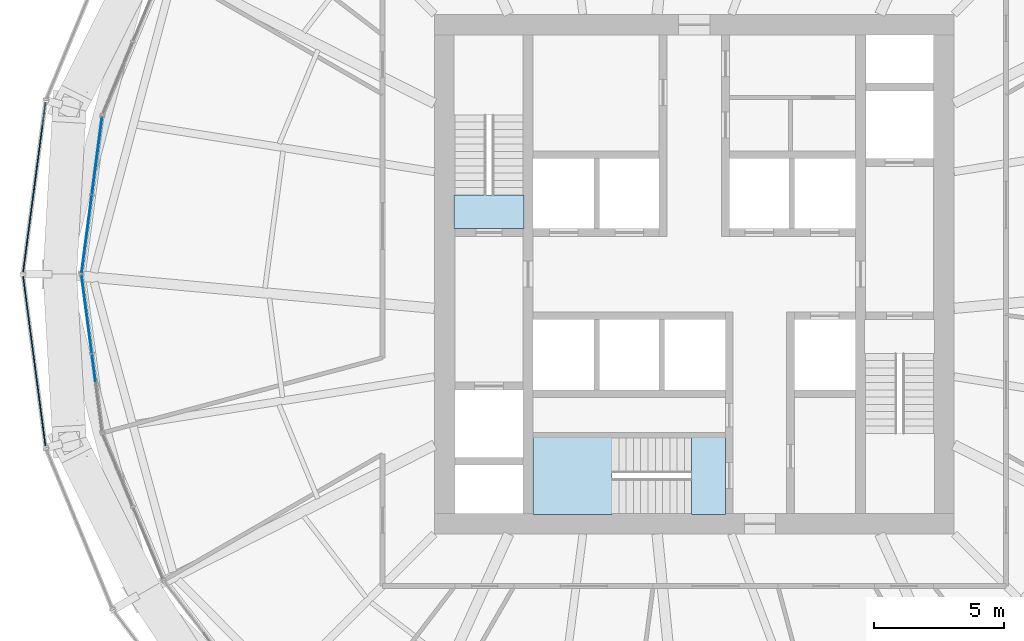
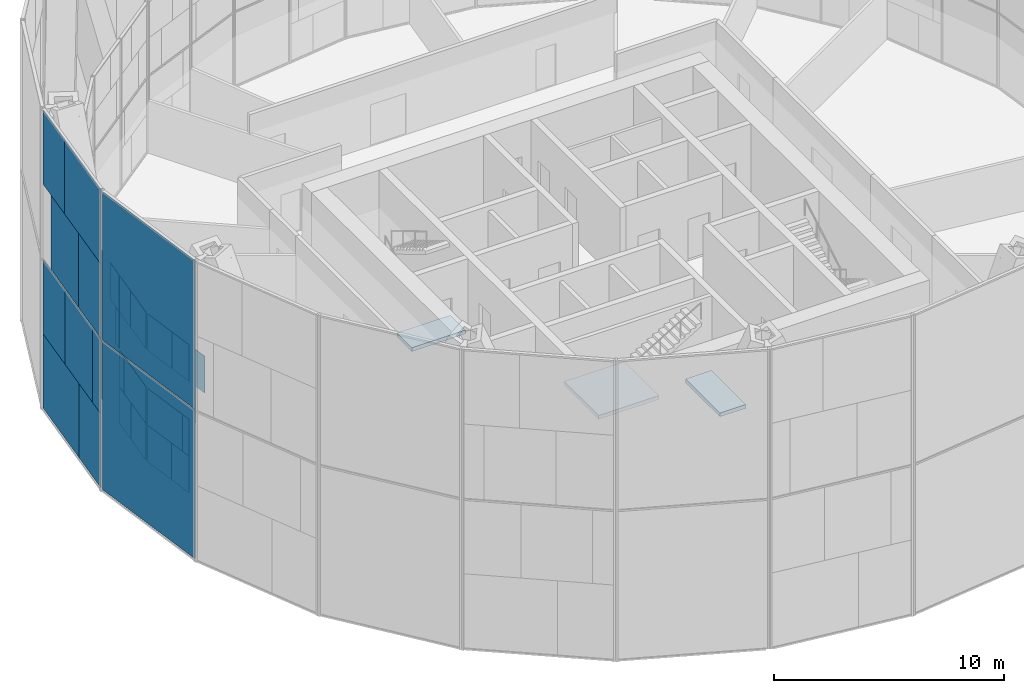
# One storey, part 12 of 22: 34 plates, 3 slabs, 5 elements without a shape of their own.
"""IFC4 building model written with IfcOpenShell, lengths in metres."""

from ifc_helpers import new_model, si_unit, direction, frame, origin, origin_2d, place, context, subcontext, project, spatial, polyline, rectangle, outline, extrude, material, layer, layer_set, type_object, element, aggregate, save


model = new_model("IFC4")

# Units and contexts
model_context = context("Model", 3, precision=1e-05, world=origin(), true_north=direction((0.0, 1.0)))
body_context = subcontext(model_context, "Body", "Model", "MODEL_VIEW")
ifc_project = project(units=[si_unit("LENGTHUNIT", "METRE"), si_unit("AREAUNIT", "SQUARE_METRE"), si_unit("VOLUMEUNIT", "CUBIC_METRE"), si_unit("PLANEANGLEUNIT", "RADIAN"), si_unit("MASSUNIT", "GRAM", prefix="KILO")], contexts=[model_context])

# Site, building, storey
site_placement = place(None, origin())
site = spatial("IfcSite", under=ifc_project, at=site_placement, CompositionType="ELEMENT")
building_placement = place(site_placement, origin())
building = spatial("IfcBuilding", under=site, at=building_placement, Name="Golbaran Civic Tower", CompositionType="ELEMENT")
storey_placement = place(building_placement, frame((0.0, 0.0, 53.0)))
storey = spatial("IfcBuildingStorey", under=building, at=storey_placement, Name="L12", CompositionType="ELEMENT", Elevation=53.0)

# Curtain wall, plates
ifc_material_1 = material(Name="Aluminium and glass", Category="aluminium")
curtain_wall_type_1 = type_object("IfcCurtainWallType", Name="INNER SKIN CURTAIN WALL", PredefinedType="NOTDEFINED", material=ifc_material_1)
curtain_wall_1_placement = place(storey_placement, origin())
curtain_wall_1 = element("IfcCurtainWall", 1, at=curtain_wall_1_placement, inside=storey, type_object=curtain_wall_type_1, Name="Inner skin L12 facet 12 CW1", ObjectType="INNER SKIN", PredefinedType="USERDEFINED")
ifc_material_2 = material(Name="Clear insulating glass", Category="glass")
ifc_layer_1 = layer(ifc_material_2, 0.031982421875, Name="Clear insulating glass")
ifc_layer_set_1 = layer_set([ifc_layer_1], Name="Clear insulating glass")
plate_type_1 = type_object("IfcPlateType", Name="INNER SKIN CURTAIN WALL GLAZED PANEL", PredefinedType="CURTAIN_PANEL", material=ifc_layer_set_1)
plate_1_placement = place(storey_placement, frame((-22.984375, 4.56201171875, 0.06494140625), z_axis=(0.0, 0.0, 1.0), x_axis=(-0.13052619222, -0.991444861374, 0.0)))
plate_1 = element("IfcPlate", 2, at=plate_1_placement, type_object=plate_type_1, Name="CW1 panel 1.1", PredefinedType="CURTAIN_PANEL", context=body_context, shape_type="SweptSolid", body=[
    extrude(rectangle(XDim=2.98095703125, YDim=0.031982421875, at=origin_2d()), origin(), (0.0, 0.0, 1.0), 3.902587890625),
])
plate_2_placement = place(storey_placement, frame((-22.958251953125, 4.76123046875, 4.032470703125), z_axis=(0.0, 0.0, 1.0), x_axis=(-0.13052619222, -0.991444861374, 0.0)))
plate_2 = element("IfcPlate", 3, at=plate_2_placement, type_object=plate_type_1, Name="CW1 panel 1.2 part 1", PredefinedType="CURTAIN_PANEL", context=body_context, shape_type="SweptSolid", body=[
    extrude(rectangle(XDim=2.5791015625, YDim=0.031982421875, at=origin_2d()), origin(), (0.0, 0.0, 1.0), 1.951171875),
])
plate_3_placement = place(storey_placement, frame((-22.916259765625, 5.080078125, 5.98388671875), z_axis=(0.0, 0.0, 1.0), x_axis=(-0.13052619222, -0.991444861374, 0.0)))
plate_3 = element("IfcPlate", 4, at=plate_3_placement, type_object=plate_type_1, Name="CW1 panel 1.2 part 3", PredefinedType="CURTAIN_PANEL", context=body_context, shape_type="SweptSolid", body=[
    extrude(rectangle(XDim=1.93603515625, YDim=0.031982421875, at=origin_2d()), origin(), (0.0, 0.0, 1.0), 1.951171875),
])
plate_4_placement = place(storey_placement, frame((-23.270263671875, 2.389892578125, 0.06494140625), z_axis=(0.0, 0.0, 1.0), x_axis=(-0.13052619222, -0.991444861374, 0.0)))
plate_4 = element("IfcPlate", 5, at=plate_4_placement, type_object=plate_type_1, Name="CW1 panel 2.1 part 1", PredefinedType="CURTAIN_PANEL", context=body_context, shape_type="SweptSolid", body=[
    extrude(rectangle(XDim=1.27099609375, YDim=0.031982421875, at=origin_2d()), origin(), (0.0, 0.0, 1.0), 1.951171875),
])
plate_5_placement = place(storey_placement, frame((-23.21923828125, 2.779052734375, 2.016357421875), z_axis=(0.0, 0.0, 1.0), x_axis=(-0.13052619222, -0.991444861374, 0.0)))
plate_5 = element("IfcPlate", 6, at=plate_5_placement, type_object=plate_type_1, Name="CW1 panel 2.1 part 3", PredefinedType="CURTAIN_PANEL", context=body_context, shape_type="SweptSolid", body=[
    extrude(rectangle(XDim=0.486083984375, YDim=0.031982421875, at=origin_2d()), origin(), (0.0, 0.0, 1.0), 1.951171875),
])
plate_6_placement = place(storey_placement, frame((-23.514404296875, 0.536376953125, 4.032470703125), z_axis=(0.0, 0.0, 1.0), x_axis=(-0.13052619222, -0.991444861374, 0.0)))
plate_6 = element("IfcPlate", 7, at=plate_6_placement, type_object=plate_type_1, Name="CW1 panel 2.2 part 2", PredefinedType="CURTAIN_PANEL", context=body_context, shape_type="SweptSolid", body=[
    extrude(rectangle(XDim=0.951904296875, YDim=0.031982421875, at=origin_2d()), origin(), (0.0, 0.0, 1.0), 1.951171875),
])
plate_7_placement = place(storey_placement, frame((-23.462890625, 0.927490234375, 5.98388671875), z_axis=(0.0, 0.0, 1.0), x_axis=(-0.13052619222, -0.991444861374, 0.0)))
plate_7 = element("IfcPlate", 8, at=plate_7_placement, type_object=plate_type_1, Name="CW1 panel 2.2 part 4", PredefinedType="CURTAIN_PANEL", context=body_context, shape_type="SweptSolid", body=[
    extrude(rectangle(XDim=1.740966796875, YDim=0.031982421875, at=origin_2d()), origin(), (0.0, 0.0, 1.0), 1.951171875),
])

curtain_wall_2_placement = place(storey_placement, origin())
curtain_wall_2 = element("IfcCurtainWall", 9, at=curtain_wall_2_placement, inside=storey, type_object=curtain_wall_type_1, Name="Inner skin L12 facet 13 CW1", ObjectType="INNER SKIN", PredefinedType="USERDEFINED")
plate_8_placement = place(storey_placement, frame((-23.270263671875, -2.389892578125, 0.06494140625), z_axis=(0.0, 0.0, 1.0), x_axis=(0.13052619222, -0.991444861374, 0.0)))
plate_8 = element("IfcPlate", 10, at=plate_8_placement, type_object=plate_type_1, Name="CW1 panel 1.1 part 2", PredefinedType="CURTAIN_PANEL", context=body_context, shape_type="SweptSolid", body=[
    extrude(rectangle(XDim=1.27099609375, YDim=0.031982421875, at=origin_2d()), origin(), (0.0, 0.0, 1.0), 1.951171875),
])
plate_9_placement = place(storey_placement, frame((-23.21923828125, -2.779052734375, 2.016357421875), z_axis=(0.0, 0.0, 1.0), x_axis=(0.13052619222, -0.991444861374, 0.0)))
plate_9 = element("IfcPlate", 11, at=plate_9_placement, type_object=plate_type_1, Name="CW1 panel 1.1 part 4", PredefinedType="CURTAIN_PANEL", context=body_context, shape_type="SweptSolid", body=[
    extrude(rectangle(XDim=0.48583984375, YDim=0.031982421875, at=origin_2d()), origin(), (0.0, 0.0, 1.0), 1.951171875),
])
plate_10_placement = place(storey_placement, frame((-23.514404296875, -0.536376953125, 4.032470703125), z_axis=(0.0, 0.0, 1.0), x_axis=(0.13052619222, -0.991444861374, 0.0)))
plate_10 = element("IfcPlate", 12, at=plate_10_placement, type_object=plate_type_1, Name="CW1 panel 1.2 part 1", PredefinedType="CURTAIN_PANEL", context=body_context, shape_type="SweptSolid", body=[
    extrude(rectangle(XDim=0.951904296875, YDim=0.031982421875, at=origin_2d()), origin(), (0.0, 0.0, 1.0), 1.951171875),
])
plate_11_placement = place(storey_placement, frame((-23.462890625, -0.927490234375, 5.98388671875), z_axis=(0.0, 0.0, 1.0), x_axis=(0.13052619222, -0.991444861374, 0.0)))
plate_11 = element("IfcPlate", 13, at=plate_11_placement, type_object=plate_type_1, Name="CW1 panel 1.2 part 3", PredefinedType="CURTAIN_PANEL", context=body_context, shape_type="SweptSolid", body=[
    extrude(rectangle(XDim=1.740966796875, YDim=0.031982421875, at=origin_2d()), origin(), (0.0, 0.0, 1.0), 1.951171875),
])

# Plate
ifc_material_3 = material(Name="Aluminium faced opaque infill panel", Category="aluminium")
ifc_layer_2 = layer(ifc_material_3, 0.031982421875, Name="Aluminium faced opaque infill panel")
ifc_layer_set_2 = layer_set([ifc_layer_2], Name="Aluminium faced opaque infill panel")
plate_type_2 = type_object("IfcPlateType", Name="INNER SKIN CURTAIN WALL OPAQUE INFILL PANEL", PredefinedType="CURTAIN_PANEL", material=ifc_layer_set_2)
plate_12_placement = place(storey_placement, frame((-23.152587890625, 3.28369140625, 4.032470703125), z_axis=(0.0, 0.0, 1.0), x_axis=(-0.13052619222, -0.991444861374, 0.0)))
plate_12 = element("IfcPlate", 14, at=plate_12_placement, type_object=plate_type_2, Name="CW1 infill panel 1.2 part 2", PredefinedType="CURTAIN_PANEL", context=body_context, shape_type="SweptSolid", body=[
    extrude(rectangle(XDim=0.40185546875, YDim=0.031982421875, at=origin_2d()), origin(), (0.0, 0.0, 1.0), 1.951171875),
])

plate_13_placement = place(storey_placement, frame((-23.11083984375, 3.602294921875, 5.98388671875), z_axis=(0.0, 0.0, 1.0), x_axis=(-0.13052619222, -0.991444861374, 0.0)))
plate_13 = element("IfcPlate", 15, at=plate_13_placement, type_object=plate_type_2, Name="CW1 infill panel 1.2 part 4", PredefinedType="CURTAIN_PANEL", context=body_context, shape_type="SweptSolid", body=[
    extrude(rectangle(XDim=1.044921875, YDim=0.031982421875, at=origin_2d()), origin(), (0.0, 0.0, 1.0), 1.951171875),
])

plate_14_placement = place(storey_placement, frame((-23.46484375, 0.912109375, 0.06494140625), z_axis=(0.0, 0.0, 1.0), x_axis=(-0.13052619222, -0.991444861374, 0.0)))
plate_14 = element("IfcPlate", 16, at=plate_14_placement, type_object=plate_type_2, Name="CW1 infill panel 2.1 part 2", PredefinedType="CURTAIN_PANEL", context=body_context, shape_type="SweptSolid", body=[
    extrude(rectangle(XDim=1.7099609375, YDim=0.031982421875, at=origin_2d()), origin(), (0.0, 0.0, 1.0), 1.951171875),
])

plate_15_placement = place(storey_placement, frame((-23.41357421875, 1.30126953125, 2.016357421875), z_axis=(0.0, 0.0, 1.0), x_axis=(-0.13052619222, -0.991444861374, 0.0)))
plate_15 = element("IfcPlate", 17, at=plate_15_placement, type_object=plate_type_2, Name="CW1 infill panel 2.1 part 4", PredefinedType="CURTAIN_PANEL", context=body_context, shape_type="SweptSolid", body=[
    extrude(rectangle(XDim=2.494873046875, YDim=0.031982421875, at=origin_2d()), origin(), (0.0, 0.0, 1.0), 1.951171875),
])

plate_16_placement = place(storey_placement, frame((-23.31982421875, 2.01416015625, 4.032470703125), z_axis=(0.0, 0.0, 1.0), x_axis=(-0.13052619222, -0.991444861374, 0.0)))
plate_16 = element("IfcPlate", 18, at=plate_16_placement, type_object=plate_type_2, Name="CW1 infill panel 2.2 part 1", PredefinedType="CURTAIN_PANEL", context=body_context, shape_type="SweptSolid", body=[
    extrude(rectangle(XDim=2.029052734375, YDim=0.031982421875, at=origin_2d()), origin(), (0.0, 0.0, 1.0), 1.951171875),
])

plate_17_placement = place(storey_placement, frame((-23.268310546875, 2.4052734375, 5.98388671875), z_axis=(0.0, 0.0, 1.0), x_axis=(-0.13052619222, -0.991444861374, 0.0)))
plate_17 = element("IfcPlate", 19, at=plate_17_placement, type_object=plate_type_2, Name="CW1 infill panel 2.2 part 3", PredefinedType="CURTAIN_PANEL", context=body_context, shape_type="SweptSolid", body=[
    extrude(rectangle(XDim=1.239990234375, YDim=0.031982421875, at=origin_2d()), origin(), (0.0, 0.0, 1.0), 1.951171875),
])

aggregate(curtain_wall_1, [plate_1, plate_2, plate_12, plate_3, plate_13, plate_4, plate_14, plate_5, plate_15, plate_16, plate_6, plate_17, plate_7])

plate_18_placement = place(storey_placement, frame((-23.46484375, -0.912109375, 0.06494140625), z_axis=(0.0, 0.0, 1.0), x_axis=(0.13052619222, -0.991444861374, 0.0)))
plate_18 = element("IfcPlate", 20, at=plate_18_placement, type_object=plate_type_2, Name="CW1 infill panel 1.1 part 1", PredefinedType="CURTAIN_PANEL", context=body_context, shape_type="SweptSolid", body=[
    extrude(rectangle(XDim=1.7099609375, YDim=0.031982421875, at=origin_2d()), origin(), (0.0, 0.0, 1.0), 1.951171875),
])

plate_19_placement = place(storey_placement, frame((-23.41357421875, -1.30126953125, 2.016357421875), z_axis=(0.0, 0.0, 1.0), x_axis=(0.13052619222, -0.991444861374, 0.0)))
plate_19 = element("IfcPlate", 21, at=plate_19_placement, type_object=plate_type_2, Name="CW1 infill panel 1.1 part 3", PredefinedType="CURTAIN_PANEL", context=body_context, shape_type="SweptSolid", body=[
    extrude(rectangle(XDim=2.4951171875, YDim=0.031982421875, at=origin_2d()), origin(), (0.0, 0.0, 1.0), 1.951171875),
])

plate_20_placement = place(storey_placement, frame((-23.31982421875, -2.01416015625, 4.032470703125), z_axis=(0.0, 0.0, 1.0), x_axis=(0.13052619222, -0.991444861374, 0.0)))
plate_20 = element("IfcPlate", 22, at=plate_20_placement, type_object=plate_type_2, Name="CW1 infill panel 1.2 part 2", PredefinedType="CURTAIN_PANEL", context=body_context, shape_type="SweptSolid", body=[
    extrude(rectangle(XDim=2.029052734375, YDim=0.031982421875, at=origin_2d()), origin(), (0.0, 0.0, 1.0), 1.951171875),
])

plate_21_placement = place(storey_placement, frame((-23.268310546875, -2.4052734375, 5.98388671875), z_axis=(0.0, 0.0, 1.0), x_axis=(0.13052619222, -0.991444861374, 0.0)))
plate_21 = element("IfcPlate", 23, at=plate_21_placement, type_object=plate_type_2, Name="CW1 infill panel 1.2 part 4", PredefinedType="CURTAIN_PANEL", context=body_context, shape_type="SweptSolid", body=[
    extrude(rectangle(XDim=1.239990234375, YDim=0.031982421875, at=origin_2d()), origin(), (0.0, 0.0, 1.0), 1.951171875),
])

plate_22_placement = place(storey_placement, frame((-23.15283203125, -3.28271484375, 4.032470703125), z_axis=(0.0, 0.0, 1.0), x_axis=(0.13052619222, -0.991444861374, 0.0)))
plate_22 = element("IfcPlate", 24, at=plate_22_placement, type_object=plate_type_2, Name="CW1 infill panel 2.2 part 1", PredefinedType="CURTAIN_PANEL", context=body_context, shape_type="SweptSolid", body=[
    extrude(rectangle(XDim=0.39990234375, YDim=0.031982421875, at=origin_2d()), origin(), (0.0, 0.0, 1.0), 1.951171875),
])

plate_23_placement = place(storey_placement, frame((-23.11083984375, -3.602294921875, 5.98388671875), z_axis=(0.0, 0.0, 1.0), x_axis=(0.13052619222, -0.991444861374, 0.0)))
plate_23 = element("IfcPlate", 25, at=plate_23_placement, type_object=plate_type_2, Name="CW1 infill panel 2.2 part 3", PredefinedType="CURTAIN_PANEL", context=body_context, shape_type="SweptSolid", body=[
    extrude(rectangle(XDim=1.044921875, YDim=0.031982421875, at=origin_2d()), origin(), (0.0, 0.0, 1.0), 1.951171875),
])

aggregate(curtain_wall_2, [plate_18, plate_8, plate_19, plate_9, plate_10, plate_20, plate_11, plate_21, plate_22, plate_23])

# Curtain wall, plates
curtain_wall_type_2 = type_object("IfcCurtainWallType", Name="OUTER SKIN TERRACOTTA SCREEN", PredefinedType="NOTDEFINED", material=ifc_material_1)
curtain_wall_3_placement = place(storey_placement, origin())
curtain_wall_3 = element("IfcCurtainWall", 26, at=curtain_wall_3_placement, inside=storey, type_object=curtain_wall_type_2, Name="Outer skin L12 facet 12 CW3", ObjectType="OUTER SKIN", PredefinedType="USERDEFINED")
ifc_material_4 = material(Name="Clear laminated glass", Category="glass")
ifc_layer_3 = layer(ifc_material_4, 0.0400390625, Name="Clear laminated glass")
ifc_layer_set_3 = layer_set([ifc_layer_3], Name="Clear laminated glass")
plate_type_3 = type_object("IfcPlateType", Name="OUTER SKIN CLEAR GLASS PANEL", PredefinedType="CURTAIN_PANEL", material=ifc_layer_set_3)
plate_24_placement = place(storey_placement, frame((-25.23876953125, 4.573974609375, -0.6298828125), z_axis=(0.0, 0.0, 1.0), x_axis=(-0.130526192255, -0.991444861369, 0.0)))
plate_24 = element("IfcPlate", 27, at=plate_24_placement, type_object=plate_type_3, Name="CW3 panel 1.1 part 1", PredefinedType="CURTAIN_PANEL", context=body_context, shape_type="SweptSolid", body=[
    extrude(rectangle(XDim=4.10498046875, YDim=0.0400390625, at=origin_2d()), origin(), (0.0, 0.0, 1.0), 3.93994140625),
])
plate_25_placement = place(storey_placement, frame((-25.134765625, 5.364013671875, 3.31005859375), z_axis=(0.0, 0.0, 1.0), x_axis=(-0.130526192255, -0.991444861369, 0.0)))
plate_25 = element("IfcPlate", 28, at=plate_25_placement, type_object=plate_type_3, Name="CW3 panel 1.1 part 3", PredefinedType="CURTAIN_PANEL", context=body_context, shape_type="SweptSolid", body=[
    extrude(rectangle(XDim=2.510986328125, YDim=0.0400390625, at=origin_2d()), origin(), (0.0, 0.0, 1.0), 3.93994140625),
])
plate_26_placement = place(storey_placement, frame((-25.76953125, 0.543212890625, 3.31005859375), z_axis=(0.0, 0.0, 1.0), x_axis=(-0.130526192255, -0.991444861369, 0.0)))
plate_26 = element("IfcPlate", 29, at=plate_26_placement, type_object=plate_type_3, Name="CW3 panel 1.1 part 5", PredefinedType="CURTAIN_PANEL", context=body_context, shape_type="SweptSolid", body=[
    extrude(rectangle(XDim=0.935791015625, YDim=0.0400390625, at=origin_2d()), origin(), (0.0, 0.0, 1.0), 3.93994140625),
])
plate_27_placement = place(storey_placement, frame((-25.6640625, 1.3447265625, 7.330078125), z_axis=(0.0, 0.0, 1.0), x_axis=(-0.130526192255, -0.991444861369, 0.0)))
plate_27 = element("IfcPlate", 30, at=plate_27_placement, type_object=plate_type_3, Name="CW3 panel 1.2 part 3", PredefinedType="CURTAIN_PANEL", context=body_context, shape_type="SweptSolid", body=[
    extrude(rectangle(XDim=2.552734375, YDim=0.0400390625, at=origin_2d()), origin(), (0.0, 0.0, 1.0), 3.93994140625),
])
plate_28_placement = place(storey_placement, frame((-25.560546875, 2.130615234375, 11.27001953125), z_axis=(0.0, 0.0, 1.0), x_axis=(-0.130526192255, -0.991444861369, 0.0)))
plate_28 = element("IfcPlate", 31, at=plate_28_placement, type_object=plate_type_3, Name="CW3 panel 1.2 part 5", PredefinedType="CURTAIN_PANEL", context=body_context, shape_type="SweptSolid", body=[
    extrude(rectangle(XDim=4.137939453125, YDim=0.0400390625, at=origin_2d()), origin(), (0.0, 0.0, 1.0), 3.93994140625),
])
ifc_material_5 = material(Name="Terracotta baguette screen", Category="masonry")
ifc_layer_4 = layer(ifc_material_5, 0.0400390625, Name="Terracotta baguette screen")
ifc_layer_set_4 = layer_set([ifc_layer_4], Name="Terracotta baguette screen")
plate_type_4 = type_object("IfcPlateType", Name="OUTER SKIN TERRACOTTA INFILL PANEL", PredefinedType="CURTAIN_PANEL", material=ifc_layer_set_4)
plate_29_placement = place(storey_placement, frame((-25.668701171875, 1.30908203125, -0.6298828125), z_axis=(0.0, 0.0, 1.0), x_axis=(-0.130526192255, -0.991444861369, 0.0)))
plate_29 = element("IfcPlate", 32, at=plate_29_placement, type_object=plate_type_4, Name="CW3 infill panel 1.1 part 2", PredefinedType="CURTAIN_PANEL", context=body_context, shape_type="SweptSolid", body=[
    extrude(rectangle(XDim=2.48095703125, YDim=0.0400390625, at=origin_2d()), origin(), (0.0, 0.0, 1.0), 3.93994140625),
])
plate_30_placement = place(storey_placement, frame((-25.503662109375, 2.563232421875, 3.31005859375), z_axis=(0.0, 0.0, 1.0), x_axis=(-0.130526192255, -0.991444861369, 0.0)))
plate_30 = element("IfcPlate", 33, at=plate_30_placement, type_object=plate_type_4, Name="CW3 infill panel 1.1 part 4", PredefinedType="CURTAIN_PANEL", context=body_context, shape_type="SweptSolid", body=[
    extrude(rectangle(XDim=3.138916015625, YDim=0.0400390625, at=origin_2d()), origin(), (0.0, 0.0, 1.0), 3.93994140625),
])
plate_31_placement = place(storey_placement, frame((-25.2919921875, 4.17041015625, 7.330078125), z_axis=(0.0, 0.0, 1.0), x_axis=(-0.130526192255, -0.991444861369, 0.0)))
plate_31 = element("IfcPlate", 34, at=plate_31_placement, type_object=plate_type_4, Name="CW3 infill panel 1.2 part 2", PredefinedType="CURTAIN_PANEL", context=body_context, shape_type="SweptSolid", body=[
    extrude(rectangle(XDim=3.14697265625, YDim=0.0400390625, at=origin_2d()), origin(), (0.0, 0.0, 1.0), 3.93994140625),
])
plate_32_placement = place(storey_placement, frame((-25.130615234375, 5.395263671875, 11.27001953125), z_axis=(0.0, 0.0, 1.0), x_axis=(-0.130526192255, -0.991444861369, 0.0)))
plate_32 = element("IfcPlate", 35, at=plate_32_placement, type_object=plate_type_4, Name="CW3 infill panel 1.2 part 4", PredefinedType="CURTAIN_PANEL", context=body_context, shape_type="SweptSolid", body=[
    extrude(rectangle(XDim=2.447998046875, YDim=0.0400390625, at=origin_2d()), origin(), (0.0, 0.0, 1.0), 3.93994140625),
])
aggregate(curtain_wall_3, [plate_24, plate_29, plate_25, plate_30, plate_26, plate_31, plate_27, plate_32, plate_28])

curtain_wall_4_placement = place(storey_placement, origin())
curtain_wall_4 = element("IfcCurtainWall", 36, at=curtain_wall_4_placement, inside=storey, type_object=curtain_wall_type_2, Name="Outer skin L12 facet 13 CW3", ObjectType="OUTER SKIN", PredefinedType="USERDEFINED")
ifc_layer_5 = layer(ifc_material_5, 0.0400390625, Name="Terracotta baguette screen")
ifc_layer_set_5 = layer_set([ifc_layer_5], Name="Terracotta baguette screen")
plate_type_5 = type_object("IfcPlateType", Name="OUTER SKIN TERRACOTTA SCREEN PANEL", PredefinedType="CURTAIN_PANEL", material=ifc_layer_set_5)
plate_33_placement = place(storey_placement, frame((-25.400634765625, -3.343994140625, -0.6298828125), z_axis=(0.0, 0.0, 1.0), x_axis=(0.130526192255, -0.991444861369, 0.0)))
plate_33 = element("IfcPlate", 37, at=plate_33_placement, type_object=plate_type_5, Name="CW3 terracotta screen panel 1.1", PredefinedType="CURTAIN_PANEL", context=body_context, shape_type="SweptSolid", body=[
    extrude(rectangle(XDim=6.5859375, YDim=0.0400390625, at=origin_2d()), origin(), (0.0, 0.0, 1.0), 7.8798828125),
])
plate_34_placement = place(storey_placement, frame((-25.400634765625, -3.343994140625, 7.330078125), z_axis=(0.0, 0.0, 1.0), x_axis=(0.130526192255, -0.991444861369, 0.0)))
plate_34 = element("IfcPlate", 38, at=plate_34_placement, type_object=plate_type_5, Name="CW3 terracotta screen panel 1.2", PredefinedType="CURTAIN_PANEL", context=body_context, shape_type="SweptSolid", body=[
    extrude(rectangle(XDim=6.5859375, YDim=0.0400390625, at=origin_2d()), origin(), (0.0, 0.0, 1.0), 7.8798828125),
])
aggregate(curtain_wall_4, [plate_33, plate_34])

# Slab
ifc_material_6 = material(Name="Concrete C35/45", Category="concrete")
ifc_layer_6 = layer(ifc_material_6, 0.199951171875, Name="Concrete C35/45")
ifc_layer_set_6 = layer_set([ifc_layer_6], Name="Concrete C35/45")
slab_type = type_object("IfcSlabType", Name="STAIR LANDING 200", PredefinedType="LANDING", material=ifc_layer_set_6)
slab_1_placement = place(storey_placement, frame((0.0, 0.0, -0.199951171875)))
element("IfcSlab", 39, at=slab_1_placement, inside=storey, type_object=slab_type, Name="Stair S1 floor landing L12", PredefinedType="LANDING", context=body_context, shape_type="SweptSolid", body=[
    extrude(outline(polyline([(-9.25, 1.75), (-9.25, 3.054931640625), (-6.550048828125, 3.054931640625), (-6.550048828125, 1.75), (-9.25, 1.75)])), origin(), (0.0, 0.0, 1.0), 0.199951171875),
])

# Stair, slab
stair_type = type_object("IfcStairType", Name="EXIT STAIR 2900 x 7400, 4000 RISE", PredefinedType="HALF_TURN_STAIR", material=ifc_material_6)
stair_placement = place(storey_placement, origin())
stair = element("IfcStair", 40, at=stair_placement, inside=storey, type_object=stair_type, Name="Stair S3 L12", PredefinedType="HALF_TURN_STAIR")
slab_2_placement = place(storey_placement, frame((0.0, 0.0, 1.800048828125)))
slab_2 = element("IfcSlab", 41, at=slab_2_placement, type_object=slab_type, Name="ST29074-40 landing 1", PredefinedType="LANDING", context=body_context, shape_type="SweptSolid", body=[
    extrude(outline(polyline([(-3.175048828125, -9.25), (-6.199951171875, -9.25), (-6.199951171875, -6.25), (-3.175048828125, -6.25), (-3.175048828125, -9.25)])), origin(), (0.0, 0.0, 1.0), 0.199951171875),
])
aggregate(stair, [slab_2])

# Slab
slab_3_placement = place(storey_placement, frame((0.0, 0.0, -0.199951171875)))
element("IfcSlab", 42, at=slab_3_placement, inside=storey, type_object=slab_type, Name="Stair S3 floor landing L12", PredefinedType="LANDING", context=body_context, shape_type="SweptSolid", body=[
    extrude(outline(polyline([(1.199951171875, -9.25), (-0.10498046875, -9.25), (-0.10498046875, -6.25), (1.199951171875, -6.25), (1.199951171875, -9.25)])), origin(), (0.0, 0.0, 1.0), 0.199951171875),
])

save(model, "model.ifc")
